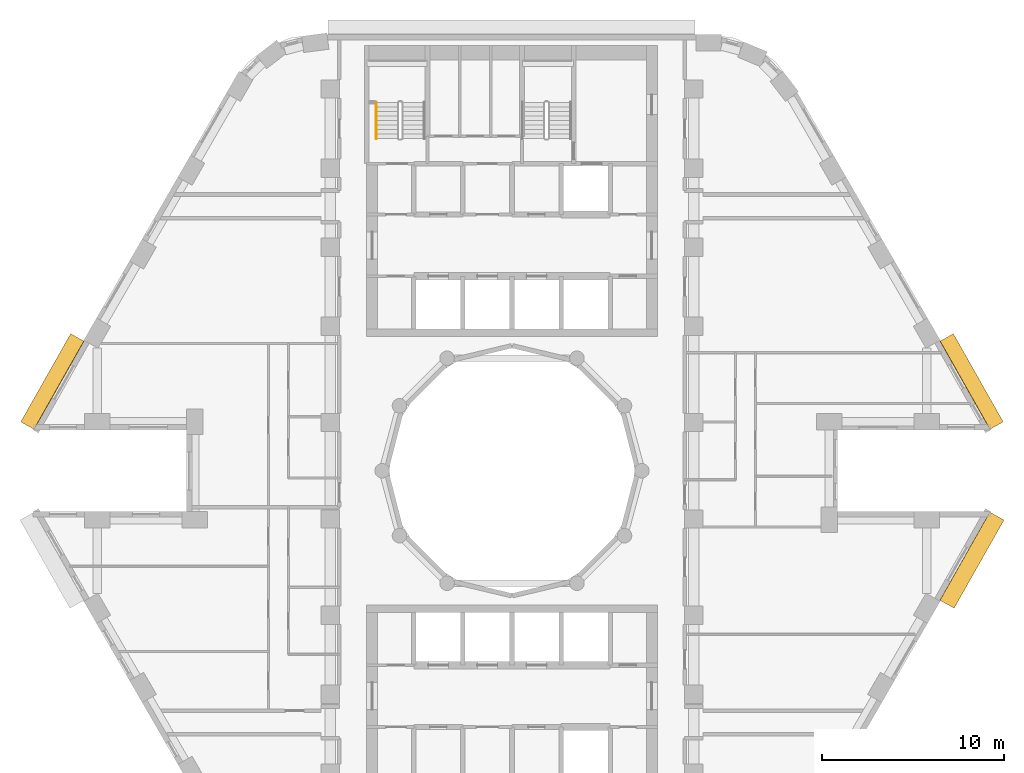
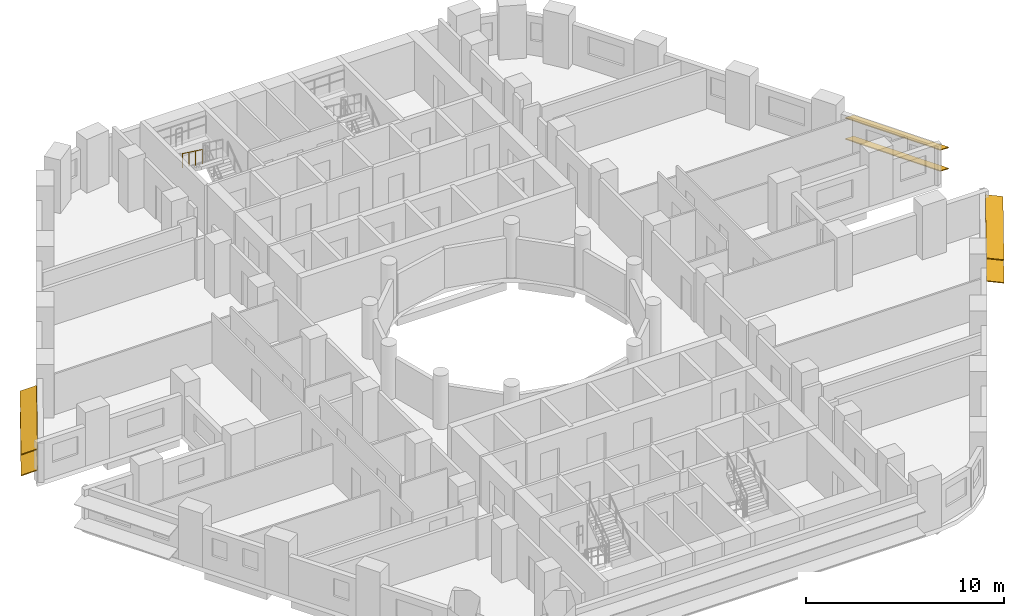
# One storey, part 11 of 12: 6 shading devices, 1 railing.
"""IFC4 building model written with IfcOpenShell, lengths in metres."""

from ifc_helpers import new_model, si_unit, direction, frame, origin, origin_2d, place, context, subcontext, project, spatial, rectangle, circle, extrude, material, material_profile, profile_set, type_object, element, save


model = new_model("IFC4")

# Units and contexts
model_context = context("Model", 3, precision=1e-05, world=origin(), true_north=direction((0.0, 1.0)))
body_context = subcontext(model_context, "Body", "Model", "MODEL_VIEW")
ifc_project = project(units=[si_unit("LENGTHUNIT", "METRE"), si_unit("AREAUNIT", "SQUARE_METRE"), si_unit("VOLUMEUNIT", "CUBIC_METRE"), si_unit("PLANEANGLEUNIT", "RADIAN"), si_unit("MASSUNIT", "GRAM", prefix="KILO")], contexts=[model_context])

# Site, building, storey
site_placement = place(None, origin())
site = spatial("IfcSite", under=ifc_project, at=site_placement, CompositionType="ELEMENT")
building_placement = place(site_placement, origin())
building = spatial("IfcBuilding", under=site, at=building_placement, Name="Nakaniwa Court", CompositionType="ELEMENT")
storey_placement = place(building_placement, frame((0.0, 0.0, 104.10009765625)))
storey = spatial("IfcBuildingStorey", under=building, at=storey_placement, Name="L27", CompositionType="ELEMENT", Elevation=104.10009765625)

# Shading devices
ifc_material_1 = material(Name="Perforated charcoal ceramic louvre blade")
ifc_material_profile = material_profile(ifc_material_1, rectangle(XDim=0.89990234375, YDim=0.050048828125, at=origin_2d()), Name="Perforated ceramic louvre blade")
ifc_profile_set = profile_set([ifc_material_profile], Name="Perforated charcoal ceramic louvre blade")
shading_device_type = type_object("IfcShadingDeviceType", Name="Perforated ceramic louvre blade", PredefinedType="JALOUSIE", material=ifc_profile_set)
for number, where, z_axis, x_axis, name in (
    (1, (106.662353515625, 82.480224609375, 0.5498046875), (-0.492438058427, 0.870347493024, 0.0), (-0.804676322539, -0.455281653718, 0.38107037635), "L27 perforated ceramic louvre blade w02 1"),
    (2, (106.662353515625, 82.480224609375, 1.84521484375), (-0.492438058427, 0.870347493024, 0.0), (-0.804676322539, -0.455281653718, 0.38107037635), "L27 perforated ceramic louvre blade w02 2"),
    (3, (56.083740234375, 87.333740234375, 0.5498046875), (-0.492438058427, -0.870347493024, 0.0), (0.804676322539, -0.455281653718, 0.38107037635), "L27 perforated ceramic louvre blade w14 1"),
    (4, (56.083740234375, 87.333740234375, 1.84521484375), (-0.492438058427, -0.870347493024, 0.0), (0.804676322539, -0.455281653718, 0.38107037635), "L27 perforated ceramic louvre blade w14 2"),
    (5, (103.93701171875, 72.654541015625, 0.5498046875), (0.492438058427, 0.870347493024, 0.0), (-0.862701960504, 0.488112256124, 0.132256390257), "L27 perforated ceramic louvre blade w32 1"),
    (6, (103.93701171875, 72.654541015625, 1.95556640625), (0.492438058427, 0.870347493024, 0.0), (-0.862701960504, 0.488112256124, 0.132256390257), "L27 perforated ceramic louvre blade w32 2"),
):
    element("IfcShadingDevice", number, at=place(storey_placement, frame(where, z_axis=z_axis, x_axis=x_axis)), inside=storey, type_object=shading_device_type, Name=name, PredefinedType="JALOUSIE", context=body_context, shape_type="SweptSolid", body=[
        extrude(rectangle(XDim=0.89990234375, YDim=0.050048828125, at=origin_2d()), origin(), (0.0, 0.0, 1.0), 5.576416015625),
    ])

# Railing
ifc_material_2 = material(Name="Black powder coated steel handrail", Category="steel")
railing_type = type_object("IfcRailingType", Name="Stair handrail 900", PredefinedType="HANDRAIL", material=ifc_material_2)
railing_placement = place(storey_placement, frame((72.52490234375, 100.27490234375, 1.833251953125)))
element("IfcRailing", 7, at=railing_placement, inside=storey, type_object=railing_type, Name="L27 ST1 stair handrail 2", PredefinedType="HANDRAIL", context=body_context, shape_type="SweptSolid", body=[
    extrude(circle(Radius=0.02392578125, at=origin_2d()), frame((0.0, 0.0, 0.8759765625), z_axis=(0.0, -0.806426902644, 0.591333789573), x_axis=(1.0, 0.0, 0.0)), (0.0, 0.0, 1.0), 2.47998046875),
    extrude(circle(Radius=0.02099609375, at=origin_2d()), origin(), (0.0, 0.0, 1.0), 0.851806640625),
    extrude(circle(Radius=0.02099609375, at=origin_2d()), frame((0.0, -0.666748046875, 0.48876953125)), (0.0, 0.0, 1.0), 0.851806640625),
    extrude(circle(Radius=0.02099609375, at=origin_2d()), frame((0.0, -1.333251953125, 0.977783203125)), (0.0, 0.0, 1.0), 0.851806640625),
    extrude(circle(Radius=0.02099609375, at=origin_2d()), frame((0.0, -2.0, 1.466552734375)), (0.0, 0.0, 1.0), 0.851806640625),
])

save(model, "model.ifc")
